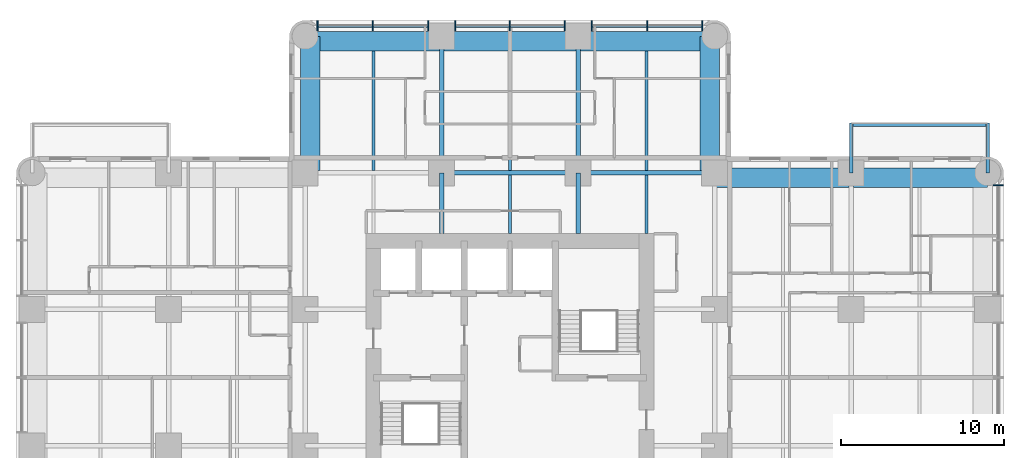
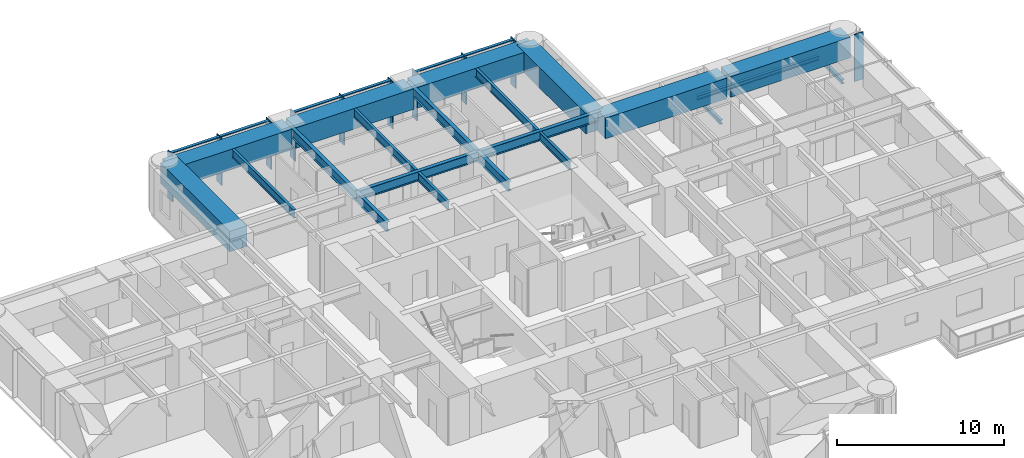
# One storey, part 4 of 15: 21 beams, 16 members, 2 elements without a shape of their own.
"""IFC4 building model written with IfcOpenShell, lengths in metres."""

from ifc_helpers import new_model, si_unit, direction, frame, origin, origin_2d, place, context, subcontext, project, spatial, rectangle, i_section, extrude, material, material_profile, profile_set, type_object, element, aggregate, save


model = new_model("IFC4")

# Units and contexts
model_context = context("Model", 3, precision=1e-05, world=origin(), true_north=direction((0.0, 1.0)))
body_context = subcontext(model_context, "Body", "Model", "MODEL_VIEW")
ifc_project = project(units=[si_unit("LENGTHUNIT", "METRE"), si_unit("AREAUNIT", "SQUARE_METRE"), si_unit("VOLUMEUNIT", "CUBIC_METRE"), si_unit("PLANEANGLEUNIT", "RADIAN"), si_unit("MASSUNIT", "GRAM", prefix="KILO")], contexts=[model_context])

# Site, building, storey
site_placement = place(None, origin())
site = spatial("IfcSite", under=ifc_project, at=site_placement, CompositionType="ELEMENT")
building_placement = place(site_placement, origin())
building = spatial("IfcBuilding", under=site, at=building_placement, Name="Torre Alcanfor", CompositionType="ELEMENT")
storey_placement = place(building_placement, frame((0.0, 0.0, 123.300048828125)))
storey = spatial("IfcBuildingStorey", under=building, at=storey_placement, Name="L31", CompositionType="ELEMENT", Elevation=123.300048828125)

# Beams
ifc_material_1 = material(Name="Steel ASTM A992 Grade 50", Category="steel")
ifc_material_profile_1 = material_profile(ifc_material_1, i_section(OverallWidth=0.205322265625, OverallDepth=0.309814453125, WebThickness=0.00927734375, FlangeThickness=0.016357421875, at=origin_2d()), Name="W12x50")
ifc_profile_set_1 = profile_set([ifc_material_profile_1], Name="Steel ASTM A992 Grade 50")
beam_type_1 = type_object("IfcBeamType", Name="Balcony cantilever beam W12x50", PredefinedType="BEAM", material=ifc_profile_set_1)
for number, where, z_axis, x_axis, name in (
    (1, (50.39990234375, 42.0, -0.35498046875), (0.0, 1.0, 0.0), (-1.0, 0.0, 0.0), "Balcony cantilever beam L31-E1 1"),
    (2, (58.800048828125, 42.0, -0.35498046875), (0.0, 1.0, 0.0), (-1.0, 0.0, 0.0), "Balcony cantilever beam L31-E1 2"),
):
    element("IfcBeam", number, at=place(storey_placement, frame(where, z_axis=z_axis, x_axis=x_axis)), inside=storey, type_object=beam_type_1, Name=name, PredefinedType="BEAM", context=body_context, shape_type="SweptSolid", body=[
        extrude(i_section(OverallWidth=0.205322265625, OverallDepth=0.309814453125, WebThickness=0.00927734375, FlangeThickness=0.016357421875, at=origin_2d()), origin(), (0.0, 0.0, 1.0), 3.050048828125),
    ])
ifc_material_2 = material(Name="Steel ASTM A992 Grade 50", Category="steel")
ifc_material_profile_2 = material_profile(ifc_material_2, i_section(OverallWidth=0.203369140625, OverallDepth=0.30224609375, WebThickness=0.007568359375, FlangeThickness=0.01318359375, at=origin_2d()), Name="W12x40")
ifc_profile_set_2 = profile_set([ifc_material_profile_2], Name="Steel ASTM A992 Grade 50")
beam_type_2 = type_object("IfcBeamType", Name="Balcony edge trimmer W12x40", PredefinedType="BEAM", material=ifc_profile_set_2)
beam_1_placement = place(storey_placement, frame((50.39990234375, 44.9482421875, -0.35107421875), z_axis=(1.0, 0.0, 0.0), x_axis=(0.0, 1.0, 0.0)))
element("IfcBeam", 3, at=beam_1_placement, inside=storey, type_object=beam_type_2, Name="Balcony edge trimmer L31-E1", PredefinedType="BEAM", context=body_context, shape_type="SweptSolid", body=[
    extrude(i_section(OverallWidth=0.203369140625, OverallDepth=0.30224609375, WebThickness=0.007568359375, FlangeThickness=0.01318359375, at=origin_2d()), origin(), (0.0, 0.0, 1.0), 8.400146484375),
])

# Curtain wall, member
ifc_material_3 = material(Name="Aluminium and glass", Category="aluminium")
curtain_wall_type = type_object("IfcCurtainWallType", Name="CW-A unitised apartment glazing with vertical FIN", PredefinedType="NOTDEFINED", material=ifc_material_3)
curtain_wall_1_placement = place(storey_placement, origin())
curtain_wall_1 = element("IfcCurtainWall", 4, at=curtain_wall_1_placement, inside=storey, type_object=curtain_wall_type, Name="Curtain wall CW-A L31 8", PredefinedType="NOTDEFINED")
ifc_material_4 = material(Name="Bronze anodised aluminium", Category="aluminium")
ifc_material_profile_3 = material_profile(ifc_material_4, rectangle(XDim=0.60009765625, YDim=0.06494140625, at=origin_2d()), Name="CW-A mullion 65x600")
ifc_profile_set_3 = profile_set([ifc_material_profile_3], Name="Bronze anodised aluminium")
member_type_1 = type_object("IfcMemberType", Name="CW-A mullion with vertical FIN 65x600", PredefinedType="MULLION", material=ifc_profile_set_3)
member_1_placement = place(storey_placement, frame((59.449951171875, 41.24267578125, 0.0), z_axis=(0.0, 0.0, 1.0), x_axis=(-1.0, 0.0, 0.0)))
member_1 = element("IfcMember", 5, at=member_1_placement, type_object=member_type_1, Name="CW-A mullion 3.3", PredefinedType="MULLION", context=body_context, shape_type="SweptSolid", body=[
    extrude(rectangle(XDim=0.60009765625, YDim=0.06494140625, at=origin_2d()), origin(), (0.0, 0.0, 1.0), 3.449951171875),
])
aggregate(curtain_wall_1, [member_1])

# Curtain wall, members
curtain_wall_2_placement = place(storey_placement, origin())
curtain_wall_2 = element("IfcCurtainWall", 6, at=curtain_wall_2_placement, inside=storey, type_object=curtain_wall_type, Name="Curtain wall CW-A L31 11", PredefinedType="NOTDEFINED")
member_2_placement = place(storey_placement, frame((41.24267578125, 51.050048828125, 0.0), z_axis=(0.0, 0.0, 1.0), x_axis=(0.0, -1.0, 0.0)))
member_2 = element("IfcMember", 7, at=member_2_placement, type_object=member_type_1, Name="CW-A mullion 1.1", PredefinedType="MULLION", context=body_context, shape_type="SweptSolid", body=[
    extrude(rectangle(XDim=0.60009765625, YDim=0.06494140625, at=origin_2d()), origin(), (0.0, 0.0, 1.0), 3.449951171875),
])
member_3_placement = place(storey_placement, frame((37.840087890625, 51.050048828125, 0.0), z_axis=(0.0, 0.0, 1.0), x_axis=(0.0, -1.0, 0.0)))
member_3 = element("IfcMember", 8, at=member_3_placement, type_object=member_type_1, Name="CW-A mullion 1.2", PredefinedType="MULLION", context=body_context, shape_type="SweptSolid", body=[
    extrude(rectangle(XDim=0.60009765625, YDim=0.06494140625, at=origin_2d()), origin(), (0.0, 0.0, 1.0), 3.449951171875),
])
member_4_placement = place(storey_placement, frame((34.4375, 51.050048828125, 0.0), z_axis=(0.0, 0.0, 1.0), x_axis=(0.0, -1.0, 0.0)))
member_4 = element("IfcMember", 9, at=member_4_placement, type_object=member_type_1, Name="CW-A mullion 1.3", PredefinedType="MULLION", context=body_context, shape_type="SweptSolid", body=[
    extrude(rectangle(XDim=0.60009765625, YDim=0.06494140625, at=origin_2d()), origin(), (0.0, 0.0, 1.0), 3.449951171875),
])
member_5_placement = place(storey_placement, frame((32.762451171875, 51.050048828125, 0.0), z_axis=(0.0, 0.0, 1.0), x_axis=(0.0, -1.0, 0.0)))
member_5 = element("IfcMember", 10, at=member_5_placement, type_object=member_type_1, Name="CW-A mullion 2.1", PredefinedType="MULLION", context=body_context, shape_type="SweptSolid", body=[
    extrude(rectangle(XDim=0.60009765625, YDim=0.06494140625, at=origin_2d()), origin(), (0.0, 0.0, 1.0), 3.449951171875),
])
member_6_placement = place(storey_placement, frame((29.39990234375, 51.050048828125, 0.0), z_axis=(0.0, 0.0, 1.0), x_axis=(0.0, -1.0, 0.0)))
member_6 = element("IfcMember", 11, at=member_6_placement, type_object=member_type_1, Name="CW-A mullion 2.2", PredefinedType="MULLION", context=body_context, shape_type="SweptSolid", body=[
    extrude(rectangle(XDim=0.60009765625, YDim=0.06494140625, at=origin_2d()), origin(), (0.0, 0.0, 1.0), 3.449951171875),
])
member_7_placement = place(storey_placement, frame((26.03759765625, 51.050048828125, 0.0), z_axis=(0.0, 0.0, 1.0), x_axis=(0.0, -1.0, 0.0)))
member_7 = element("IfcMember", 12, at=member_7_placement, type_object=member_type_1, Name="CW-A mullion 2.3", PredefinedType="MULLION", context=body_context, shape_type="SweptSolid", body=[
    extrude(rectangle(XDim=0.60009765625, YDim=0.06494140625, at=origin_2d()), origin(), (0.0, 0.0, 1.0), 3.449951171875),
])
member_8_placement = place(storey_placement, frame((24.362548828125, 51.050048828125, 0.0), z_axis=(0.0, 0.0, 1.0), x_axis=(0.0, -1.0, 0.0)))
member_8 = element("IfcMember", 13, at=member_8_placement, type_object=member_type_1, Name="CW-A mullion 3.1", PredefinedType="MULLION", context=body_context, shape_type="SweptSolid", body=[
    extrude(rectangle(XDim=0.60009765625, YDim=0.06494140625, at=origin_2d()), origin(), (0.0, 0.0, 1.0), 3.449951171875),
])
member_9_placement = place(storey_placement, frame((20.9599609375, 51.050048828125, 0.0), z_axis=(0.0, 0.0, 1.0), x_axis=(0.0, -1.0, 0.0)))
member_9 = element("IfcMember", 14, at=member_9_placement, type_object=member_type_1, Name="CW-A mullion 3.2", PredefinedType="MULLION", context=body_context, shape_type="SweptSolid", body=[
    extrude(rectangle(XDim=0.60009765625, YDim=0.06494140625, at=origin_2d()), origin(), (0.0, 0.0, 1.0), 3.449951171875),
])
member_10_placement = place(storey_placement, frame((17.557373046875, 51.050048828125, 0.0), z_axis=(0.0, 0.0, 1.0), x_axis=(0.0, -1.0, 0.0)))
member_10 = element("IfcMember", 15, at=member_10_placement, type_object=member_type_1, Name="CW-A mullion 3.3", PredefinedType="MULLION", context=body_context, shape_type="SweptSolid", body=[
    extrude(rectangle(XDim=0.60009765625, YDim=0.06494140625, at=origin_2d()), origin(), (0.0, 0.0, 1.0), 3.449951171875),
])
ifc_material_5 = material(Name="Extruded aluminium", Category="aluminium")
ifc_material_profile_4 = material_profile(ifc_material_5, rectangle(XDim=0.199951171875, YDim=0.06494140625, at=origin_2d()), Name="CW-A transom 200x65")
ifc_profile_set_4 = profile_set([ifc_material_profile_4], Name="Extruded aluminium")
member_type_2 = type_object("IfcMemberType", Name="CW-A transom 65x200", PredefinedType="USERDEFINED", material=ifc_profile_set_4)
member_11_placement = place(storey_placement, frame((41.210205078125, 51.050048828125, 3.41748046875), z_axis=(-1.0, 0.0, 0.0), x_axis=(0.0, -1.0, 0.0)))
member_11 = element("IfcMember", 16, at=member_11_placement, type_object=member_type_2, Name="CW-A transom 1.1.2", ObjectType="TRANSOM", PredefinedType="USERDEFINED", context=body_context, shape_type="SweptSolid", body=[
    extrude(rectangle(XDim=0.199951171875, YDim=0.06494140625, at=origin_2d()), origin(), (0.0, 0.0, 1.0), 3.337646484375),
])
member_12_placement = place(storey_placement, frame((37.8076171875, 51.050048828125, 3.41748046875), z_axis=(-1.0, 0.0, 0.0), x_axis=(0.0, -1.0, 0.0)))
member_12 = element("IfcMember", 17, at=member_12_placement, type_object=member_type_2, Name="CW-A transom 1.2.2", ObjectType="TRANSOM", PredefinedType="USERDEFINED", context=body_context, shape_type="SweptSolid", body=[
    extrude(rectangle(XDim=0.199951171875, YDim=0.06494140625, at=origin_2d()), origin(), (0.0, 0.0, 1.0), 3.337646484375),
])
member_13_placement = place(storey_placement, frame((32.72998046875, 51.050048828125, 3.41748046875), z_axis=(-1.0, 0.0, 0.0), x_axis=(0.0, -1.0, 0.0)))
member_13 = element("IfcMember", 18, at=member_13_placement, type_object=member_type_2, Name="CW-A transom 2.1.2", ObjectType="TRANSOM", PredefinedType="USERDEFINED", context=body_context, shape_type="SweptSolid", body=[
    extrude(rectangle(XDim=0.199951171875, YDim=0.06494140625, at=origin_2d()), origin(), (0.0, 0.0, 1.0), 3.29736328125),
])
member_14_placement = place(storey_placement, frame((29.367431640625, 51.050048828125, 3.41748046875), z_axis=(-1.0, 0.0, 0.0), x_axis=(0.0, -1.0, 0.0)))
member_14 = element("IfcMember", 19, at=member_14_placement, type_object=member_type_2, Name="CW-A transom 2.2.2", ObjectType="TRANSOM", PredefinedType="USERDEFINED", context=body_context, shape_type="SweptSolid", body=[
    extrude(rectangle(XDim=0.199951171875, YDim=0.06494140625, at=origin_2d()), origin(), (0.0, 0.0, 1.0), 3.29736328125),
])
member_15_placement = place(storey_placement, frame((24.330078125, 51.050048828125, 3.41748046875), z_axis=(-1.0, 0.0, 0.0), x_axis=(0.0, -1.0, 0.0)))
member_15 = element("IfcMember", 20, at=member_15_placement, type_object=member_type_2, Name="CW-A transom 3.1.2", ObjectType="TRANSOM", PredefinedType="USERDEFINED", context=body_context, shape_type="SweptSolid", body=[
    extrude(rectangle(XDim=0.199951171875, YDim=0.06494140625, at=origin_2d()), origin(), (0.0, 0.0, 1.0), 3.337646484375),
])
member_16_placement = place(storey_placement, frame((20.927490234375, 51.050048828125, 3.41748046875), z_axis=(-1.0, 0.0, 0.0), x_axis=(0.0, -1.0, 0.0)))
member_16 = element("IfcMember", 21, at=member_16_placement, type_object=member_type_2, Name="CW-A transom 3.2.2", ObjectType="TRANSOM", PredefinedType="USERDEFINED", context=body_context, shape_type="SweptSolid", body=[
    extrude(rectangle(XDim=0.199951171875, YDim=0.06494140625, at=origin_2d()), origin(), (0.0, 0.0, 1.0), 3.337646484375),
])
aggregate(curtain_wall_2, [member_2, member_3, member_4, member_11, member_12, member_5, member_6, member_7, member_13, member_14, member_8, member_9, member_10, member_15, member_16])

# Beams
ifc_material_6 = material(Name="Steel ASTM A992 Grade 50", Category="steel")
ifc_material_profile_5 = material_profile(ifc_material_6, i_section(OverallWidth=0.25390625, OverallDepth=0.683349609375, WebThickness=0.012451171875, FlangeThickness=0.01904296875, at=origin_2d()), Name="W27x94")
ifc_profile_set_5 = profile_set([ifc_material_profile_5], Name="Steel ASTM A992 Grade 50")
beam_type_3 = type_object("IfcBeamType", Name="Girder W27x94", PredefinedType="BEAM", material=ifc_profile_set_5)
beam_2_placement = place(storey_placement, frame((25.199951171875, 42.0, 3.1083984375), z_axis=(1.0, 0.0, 0.0), x_axis=(0.0, 1.0, 0.0)))
element("IfcBeam", 22, at=beam_2_placement, inside=storey, type_object=beam_type_3, Name="Beam 4H-5H under L32", PredefinedType="BEAM", context=body_context, shape_type="SweptSolid", body=[
    extrude(i_section(OverallWidth=0.25390625, OverallDepth=0.683349609375, WebThickness=0.012451171875, FlangeThickness=0.01904296875, at=origin_2d()), origin(), (0.0, 0.0, 1.0), 8.400146484375),
])
for number, where, z_axis, x_axis, name in (
    (23, (33.60009765625, 42.0, 3.1083984375), (1.0, 0.0, 0.0), (0.0, 1.0, 0.0), "Beam 5H-6H under L32"),
    (24, (25.199951171875, 42.0, 3.1083984375), (0.0, 1.0, 0.0), (-1.0, 0.0, 0.0), "Beam 4H-4J under L32"),
    (25, (33.60009765625, 42.0, 3.1083984375), (0.0, 1.0, 0.0), (-1.0, 0.0, 0.0), "Beam 5H-5J under L32"),
):
    element("IfcBeam", number, at=place(storey_placement, frame(where, z_axis=z_axis, x_axis=x_axis)), inside=storey, type_object=beam_type_3, Name=name, PredefinedType="BEAM", context=body_context, shape_type="SweptSolid", body=[
        extrude(i_section(OverallWidth=0.25390625, OverallDepth=0.683349609375, WebThickness=0.012451171875, FlangeThickness=0.01904296875, at=origin_2d()), origin(), (0.0, 0.0, 1.0), 8.39990234375),
    ])
ifc_material_7 = material(Name="Steel ASTM A992 Grade 50", Category="steel")
ifc_material_profile_6 = material_profile(ifc_material_7, i_section(OverallWidth=0.25390625, OverallDepth=0.683349609375, WebThickness=0.012451171875, FlangeThickness=0.01904296875, at=origin_2d()), Name="W27x94")
ifc_profile_set_6 = profile_set([ifc_material_profile_6], Name="Steel ASTM A992 Grade 50")
beam_type_4 = type_object("IfcBeamType", Name="Girder, part bay W27x94", PredefinedType="BEAM", material=ifc_profile_set_6)
for number, where, z_axis, x_axis, name in (
    (26, (25.199951171875, 42.0, 3.1083984375), (0.0, -1.0, 0.0), (1.0, 0.0, 0.0), "Beam 4H-438_25 under L32"),
    (27, (33.60009765625, 42.0, 3.1083984375), (0.0, -1.0, 0.0), (1.0, 0.0, 0.0), "Beam 5H-538_25 under L32"),
):
    element("IfcBeam", number, at=place(storey_placement, frame(where, z_axis=z_axis, x_axis=x_axis)), inside=storey, type_object=beam_type_4, Name=name, PredefinedType="BEAM", context=body_context, shape_type="SweptSolid", body=[
        extrude(i_section(OverallWidth=0.25390625, OverallDepth=0.683349609375, WebThickness=0.012451171875, FlangeThickness=0.01904296875, at=origin_2d()), origin(), (0.0, 0.0, 1.0), 3.75),
    ])
ifc_material_8 = material(Name="Concrete f'c 70 MPa", Category="concrete")
ifc_material_profile_7 = material_profile(ifc_material_8, rectangle(XDim=1.199951171875, YDim=1.5, at=origin_2d()), Name="1200x1500")
ifc_profile_set_7 = profile_set([ifc_material_profile_7], Name="Concrete f'c 70 MPa")
beam_type_5 = type_object("IfcBeamType", Name="RC perimeter beam 1200x1500", PredefinedType="BEAM", material=ifc_profile_set_7)
beam_3_placement = place(storey_placement, frame((41.873046875, 41.699951171875, 2.699951171875), z_axis=(1.0, 0.0, 0.0), x_axis=(0.0, 1.0, 0.0)))
element("IfcBeam", 28, at=beam_3_placement, inside=storey, type_object=beam_type_5, Name="Beam 6H-7H under L32", PredefinedType="BEAM", context=body_context, shape_type="SweptSolid", body=[
    extrude(rectangle(XDim=1.199951171875, YDim=1.5, at=origin_2d()), origin(), (0.0, 0.0, 1.0), 8.39990234375),
])
for number, where, z_axis, x_axis, name in (
    (29, (50.527099609375, 41.699951171875, 2.699951171875), (1.0, 0.0, 0.0), (0.0, 1.0, 0.0), "Beam 7H-8H under L32"),
    (30, (16.800048828125, 50.10009765625, 2.699951171875), (1.0, 0.0, 0.0), (0.0, 1.0, 0.0), "Beam 3J-4J under L32"),
):
    element("IfcBeam", number, at=place(storey_placement, frame(where, z_axis=z_axis, x_axis=x_axis)), inside=storey, type_object=beam_type_5, Name=name, PredefinedType="BEAM", context=body_context, shape_type="SweptSolid", body=[
        extrude(rectangle(XDim=1.199951171875, YDim=1.5, at=origin_2d()), origin(), (0.0, 0.0, 1.0), 8.27294921875),
    ])
beam_4_placement = place(storey_placement, frame((25.326904296875, 50.10009765625, 2.699951171875), z_axis=(1.0, 0.0, 0.0), x_axis=(0.0, 1.0, 0.0)))
element("IfcBeam", 31, at=beam_4_placement, inside=storey, type_object=beam_type_5, Name="Beam 4J-5J under L32", PredefinedType="BEAM", context=body_context, shape_type="SweptSolid", body=[
    extrude(rectangle(XDim=1.199951171875, YDim=1.5, at=origin_2d()), origin(), (0.0, 0.0, 1.0), 8.14599609375),
])
for number, where, z_axis, x_axis, name in (
    (32, (33.72705078125, 50.10009765625, 2.699951171875), (1.0, 0.0, 0.0), (0.0, 1.0, 0.0), "Beam 5J-6J under L32"),
    (33, (17.10009765625, 42.126953125, 2.699951171875), (0.0, 1.0, 0.0), (-1.0, 0.0, 0.0), "Beam 3H-3J under L32"),
    (34, (41.699951171875, 42.126953125, 2.699951171875), (0.0, 1.0, 0.0), (-1.0, 0.0, 0.0), "Beam 6H-6J under L32"),
):
    element("IfcBeam", number, at=place(storey_placement, frame(where, z_axis=z_axis, x_axis=x_axis)), inside=storey, type_object=beam_type_5, Name=name, PredefinedType="BEAM", context=body_context, shape_type="SweptSolid", body=[
        extrude(rectangle(XDim=1.199951171875, YDim=1.5, at=origin_2d()), origin(), (0.0, 0.0, 1.0), 8.27294921875),
    ])
ifc_material_9 = material(Name="Steel ASTM A992 Grade 50", Category="steel")
ifc_material_profile_8 = material_profile(ifc_material_9, i_section(OverallWidth=0.1787109375, OverallDepth=0.60205078125, WebThickness=0.010986328125, FlangeThickness=0.014892578125, at=origin_2d()), Name="W24x62")
ifc_profile_set_8 = profile_set([ifc_material_profile_8], Name="Steel ASTM A992 Grade 50")
beam_type_6 = type_object("IfcBeamType", Name="Secondary beam W24x62", PredefinedType="BEAM", material=ifc_profile_set_8)
for number, where, z_axis, x_axis, name in (
    (35, (21.0, 42.126953125, 3.14892578125), (0.0, 1.0, 0.0), (-1.0, 0.0, 0.0), "Beam 21H-21J under L32"),
    (36, (29.39990234375, 42.126953125, 3.14892578125), (0.0, 1.0, 0.0), (-1.0, 0.0, 0.0), "Beam 29_4H-29_4J under L32"),
    (37, (37.800048828125, 42.126953125, 3.14892578125), (0.0, 1.0, 0.0), (-1.0, 0.0, 0.0), "Beam 37_8H-37_8J under L32"),
):
    element("IfcBeam", number, at=place(storey_placement, frame(where, z_axis=z_axis, x_axis=x_axis)), inside=storey, type_object=beam_type_6, Name=name, PredefinedType="BEAM", context=body_context, shape_type="SweptSolid", body=[
        extrude(i_section(OverallWidth=0.1787109375, OverallDepth=0.60205078125, WebThickness=0.010986328125, FlangeThickness=0.014892578125, at=origin_2d()), origin(), (0.0, 0.0, 1.0), 7.373046875),
    ])
ifc_material_10 = material(Name="Steel ASTM A992 Grade 50", Category="steel")
ifc_material_profile_9 = material_profile(ifc_material_10, i_section(OverallWidth=0.1787109375, OverallDepth=0.60205078125, WebThickness=0.010986328125, FlangeThickness=0.014892578125, at=origin_2d()), Name="W24x62")
ifc_profile_set_9 = profile_set([ifc_material_profile_9], Name="Steel ASTM A992 Grade 50")
beam_type_7 = type_object("IfcBeamType", Name="Secondary beam, part bay W24x62", PredefinedType="BEAM", material=ifc_profile_set_9)
for number, where, z_axis, x_axis, name in (
    (38, (29.39990234375, 38.25, 3.14892578125), (0.0, 1.0, 0.0), (-1.0, 0.0, 0.0), "Beam 29_438_25-29_4H under L32"),
    (39, (37.800048828125, 38.25, 3.14892578125), (0.0, 1.0, 0.0), (-1.0, 0.0, 0.0), "Beam 37_838_25-37_8H under L32"),
):
    element("IfcBeam", number, at=place(storey_placement, frame(where, z_axis=z_axis, x_axis=x_axis)), inside=storey, type_object=beam_type_7, Name=name, PredefinedType="BEAM", context=body_context, shape_type="SweptSolid", body=[
        extrude(i_section(OverallWidth=0.1787109375, OverallDepth=0.60205078125, WebThickness=0.010986328125, FlangeThickness=0.014892578125, at=origin_2d()), origin(), (0.0, 0.0, 1.0), 3.623046875),
    ])

save(model, "model.ifc")
